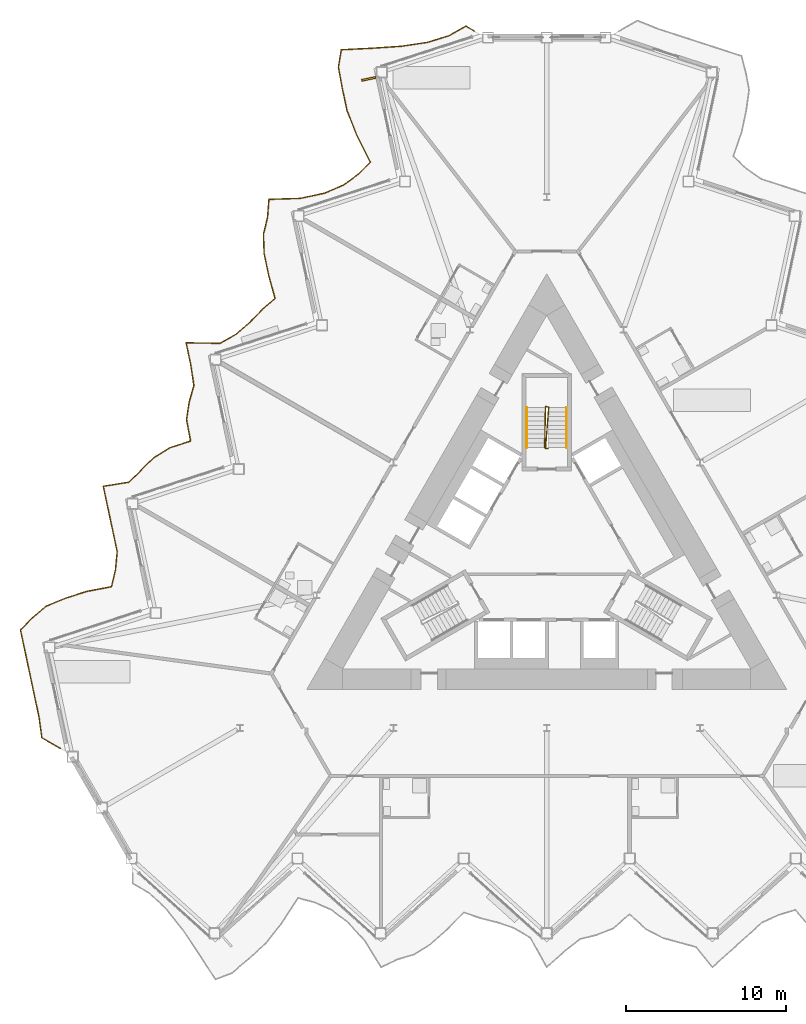
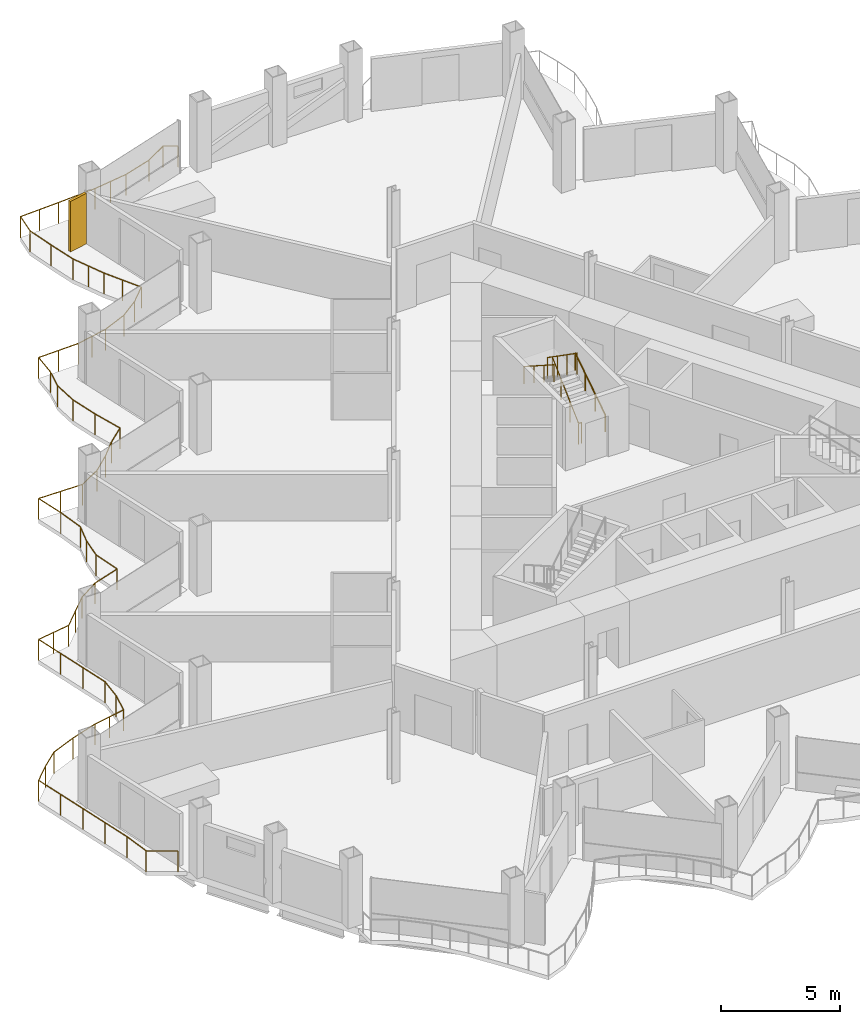
# One storey, part 20 of 23: 4 railings, 1 shading device.
"""IFC4 building model written with IfcOpenShell, lengths in metres."""

from ifc_helpers import new_model, si_unit, direction, frame, origin, origin_2d, place, context, subcontext, project, spatial, rectangle, circle, extrude, material, layer, layer_set, type_object, element, save


model = new_model("IFC4")

# Units and contexts
model_context = context("Model", 3, precision=1e-05, world=origin(), true_north=direction((0.0, 1.0)))
body_context = subcontext(model_context, "Body", "Model", "MODEL_VIEW")
ifc_project = project(units=[si_unit("LENGTHUNIT", "METRE"), si_unit("AREAUNIT", "SQUARE_METRE"), si_unit("VOLUMEUNIT", "CUBIC_METRE"), si_unit("PLANEANGLEUNIT", "RADIAN"), si_unit("MASSUNIT", "GRAM", prefix="KILO")], contexts=[model_context])

# Site, building, storey
site_placement = place(None, origin())
site = spatial("IfcSite", under=ifc_project, at=site_placement, CompositionType="ELEMENT")
building_placement = place(site_placement, origin())
building = spatial("IfcBuilding", under=site, at=building_placement, Name="Cormorant Prow Tower", CompositionType="ELEMENT")
storey_placement = place(building_placement, frame((0.0, 0.0, 245.39990234375)))
storey = spatial("IfcBuildingStorey", under=building, at=storey_placement, Name="L54", CompositionType="ELEMENT", Elevation=245.39990234375)

# Railings
ifc_material_1 = material(Name="Aluminium 6063-T6", Category="aluminium")
railing_type_1 = type_object("IfcRailingType", Name="Balcony guard 1100", PredefinedType="GUARDRAIL", material=ifc_material_1)
railing_1_placement = place(storey_placement, frame((-4.5009765625, 32.480712890625, 0.0)))
element("IfcRailing", 1, at=railing_1_placement, inside=storey, type_object=railing_type_1, Name="Balcony guard WNW", PredefinedType="GUARDRAIL", context=body_context, shape_type="SweptSolid", body=[
    extrude(circle(Radius=0.02392578125, at=origin_2d()), frame((0.0, 0.0, 1.076171875), z_axis=(-0.866108878364, 0.499855389907, 0.0), x_axis=(-0.499855389907, -0.866108878364, 0.0)), (0.0, 0.0, 1.0), 0.635986328125),
    extrude(circle(Radius=0.02392578125, at=origin_2d()), frame((-0.55078125, 0.31787109375, 1.076171875), z_axis=(-0.86738841602, -0.497631727037, 0.0), x_axis=(0.497631727037, -0.86738841602, 0.0)), (0.0, 0.0, 1.0), 1.197021484375),
    extrude(circle(Radius=0.02392578125, at=origin_2d()), frame((-1.589111328125, -0.27783203125, 1.076171875), z_axis=(-0.954818537326, -0.297189435846, 0.0), x_axis=(0.297189435846, -0.954818537326, 0.0)), (0.0, 0.0, 1.0), 1.408935546875),
    extrude(circle(Radius=0.02392578125, at=origin_2d()), frame((-2.934326171875, -0.696533203125, 1.076171875), z_axis=(-0.989117445671, -0.147128102923, 0.0), x_axis=(0.147128102923, -0.989117445671, 0.0)), (0.0, 0.0, 1.0), 1.664306640625),
    extrude(circle(Radius=0.02392578125, at=origin_2d()), frame((-4.58056640625, -0.94140625, 1.076171875), z_axis=(-0.99773369058, -0.067286571335, 0.0), x_axis=(0.067286571335, -0.99773369058, 0.0)), (0.0, 0.0, 1.0), 1.857666015625),
    extrude(circle(Radius=0.02392578125, at=origin_2d()), frame((-6.43408203125, -1.06640625, 1.076171875), z_axis=(-0.998767603563, -0.049631381939, 0.0), x_axis=(0.049631381939, -0.998767603563, 0.0)), (0.0, 0.0, 1.0), 1.90869140625),
    extrude(circle(Radius=0.02392578125, at=origin_2d()), frame((-8.34033203125, -1.1611328125, 1.076171875), z_axis=(-0.157964723351, -0.987444756012, 0.0), x_axis=(0.987444756012, -0.157964723351, 0.0)), (0.0, 0.0, 1.0), 1.108154296875),
    extrude(circle(Radius=0.02392578125, at=origin_2d()), frame((-8.515380859375, -2.25537109375, 1.076171875), z_axis=(0.180513225009, -0.983572557363, 0.0), x_axis=(0.983572557363, 0.180513225009, 0.0)), (0.0, 0.0, 1.0), 1.359130859375),
    extrude(circle(Radius=0.02392578125, at=origin_2d()), frame((-8.27001953125, -3.59228515625, 1.076171875), z_axis=(0.207865044312, -0.978157514592, 0.0), x_axis=(0.978157514592, 0.207865044312, 0.0)), (0.0, 0.0, 1.0), 1.39306640625),
    extrude(circle(Radius=0.02392578125, at=origin_2d()), frame((-7.98046875, -4.954833984375, 1.076171875), z_axis=(0.366882507914, -0.930267287067, 0.0), x_axis=(0.930267287067, 0.366882507914, 0.0)), (0.0, 0.0, 1.0), 1.66357421875),
    extrude(circle(Radius=0.02392578125, at=origin_2d()), frame((-7.3701171875, -6.50244140625, 1.076171875), z_axis=(0.449490009942, -0.893285358081, 0.0), x_axis=(0.893285358081, 0.449490009942, 0.0)), (0.0, 0.0, 1.0), 1.886474609375),
    extrude(circle(Radius=0.02392578125, at=origin_2d()), frame((-6.522216796875, -8.1875, 1.076171875), z_axis=(-0.706878866045, -0.70733462289, 0.0), x_axis=(0.70733462289, -0.706878866045, 0.0)), (0.0, 0.0, 1.0), 1.0712890625),
    extrude(circle(Radius=0.02392578125, at=origin_2d()), frame((-7.279541015625, -8.9453125, 1.076171875), z_axis=(-0.807671584794, -0.589632606897, 0.0), x_axis=(0.589632606897, -0.807671584794, 0.0)), (0.0, 0.0, 1.0), 1.132080078125),
    extrude(circle(Radius=0.02392578125, at=origin_2d()), frame((-8.19384765625, -9.61279296875, 1.076171875), z_axis=(-0.919865271319, -0.392234474035, 0.0), x_axis=(0.392234474035, -0.919865271319, 0.0)), (0.0, 0.0, 1.0), 1.294677734375),
    extrude(circle(Radius=0.02392578125, at=origin_2d()), frame((-9.384765625, -10.12060546875, 1.076171875), z_axis=(-0.977448644327, -0.21117326465, 0.0), x_axis=(0.21117326465, -0.977448644327, 0.0)), (0.0, 0.0, 1.0), 1.541015625),
    extrude(circle(Radius=0.02392578125, at=origin_2d()), frame((-10.89111328125, -10.446044921875, 1.076171875), z_axis=(-0.999521721228, -0.030924566176, 0.0), x_axis=(0.030924566176, -0.999521721228, 0.0)), (0.0, 0.0, 1.0), 1.9658203125),
    extrude(circle(Radius=0.02392578125, at=origin_2d()), frame((-12.85595703125, -10.5068359375, 1.076171875), z_axis=(-0.080100838595, -0.99678676539, 0.0), x_axis=(0.99678676539, -0.080100838595, 0.0)), (0.0, 0.0, 1.0), 1.14599609375),
    extrude(circle(Radius=0.02392578125, at=origin_2d()), frame((-12.94775390625, -11.649169921875, 1.076171875), z_axis=(-0.233586756065, -0.972335964259, 0.0), x_axis=(0.972335964259, -0.233586756065, 0.0)), (0.0, 0.0, 1.0), 1.07958984375),
    extrude(circle(Radius=0.02392578125, at=origin_2d()), frame((-13.199951171875, -12.698974609375, 1.076171875), z_axis=(0.035784228356, -0.999359539406, 0.0), x_axis=(0.999359539406, 0.035784228356, 0.0)), (0.0, 0.0, 1.0), 1.22119140625),
    extrude(circle(Radius=0.02392578125, at=origin_2d()), frame((-13.15625, -13.91943359375, 1.076171875), z_axis=(0.207900686127, -0.978149939788, 0.0), x_axis=(0.978149939788, 0.207900686127, 0.0)), (0.0, 0.0, 1.0), 1.392822265625),
    extrude(circle(Radius=0.02392578125, at=origin_2d()), frame((-12.86669921875, -15.28173828125, 1.076171875), z_axis=(0.265833522599, -0.964018951195, 0.0), x_axis=(0.964018951195, 0.265833522599, 0.0)), (0.0, 0.0, 1.0), 1.474853515625),
    extrude(circle(Radius=0.02392578125, at=origin_2d()), frame((-12.474609375, -16.70361328125, 1.076171875), z_axis=(-0.758202804025, -0.652018794184, 0.0), x_axis=(0.652018794184, -0.758202804025, 0.0)), (0.0, 0.0, 1.0), 1.0966796875),
    extrude(circle(Radius=0.02392578125, at=origin_2d()), frame((-13.30615234375, -17.418701171875, 1.076171875), z_axis=(-0.693936407602, -0.720036292283, 0.0), x_axis=(0.720036292283, -0.693936407602, 0.0)), (0.0, 0.0, 1.0), 1.06640625),
    extrude(circle(Radius=0.02392578125, at=origin_2d()), frame((-14.046142578125, -18.1865234375, 1.076171875), z_axis=(-0.750079137531, -0.661348083419, 0.0), x_axis=(0.661348083419, -0.750079137531, 0.0)), (0.0, 0.0, 1.0), 1.09228515625),
    extrude(circle(Radius=0.02392578125, at=origin_2d()), frame((-14.865478515625, -18.908935546875, 1.076171875), z_axis=(-0.870373533206, -0.49239203151, 0.0), x_axis=(0.49239203151, -0.870373533206, 0.0)), (0.0, 0.0, 1.0), 1.201416015625),
    extrude(circle(Radius=0.02392578125, at=origin_2d()), frame((-15.9111328125, -19.50048828125, 1.076171875), z_axis=(-0.99990616537, 0.013698921676, 0.0), x_axis=(-0.013698921676, -0.99990616537, 0.0)), (0.0, 0.0, 1.0), 2.120849609375),
    extrude(circle(Radius=0.02392578125, at=origin_2d()), frame((-18.03173828125, -19.471435546875, 1.076171875), z_axis=(0.208032727926, -0.978121865675, 0.0), x_axis=(0.978121865675, 0.208032727926, 0.0)), (0.0, 0.0, 1.0), 1.39306640625),
    extrude(circle(Radius=0.02392578125, at=origin_2d()), frame((-17.741943359375, -20.833984375, 1.076171875), z_axis=(0.147672462965, -0.989036320709, 0.0), x_axis=(0.989036320709, 0.147672462965, 0.0)), (0.0, 0.0, 1.0), 1.322509765625),
    extrude(circle(Radius=0.02392578125, at=origin_2d()), frame((-17.546630859375, -22.14208984375, 1.076171875), z_axis=(-0.272546130681, -0.962142716363, 0.0), x_axis=(0.962142716363, -0.272546130681, 0.0)), (0.0, 0.0, 1.0), 1.06787109375),
    extrude(circle(Radius=0.02392578125, at=origin_2d()), frame((-17.837646484375, -23.16943359375, 1.076171875), z_axis=(-0.152833795093, -0.98825190669, 0.0), x_axis=(0.98825190669, -0.152833795093, 0.0)), (0.0, 0.0, 1.0), 1.110107421875),
    extrude(circle(Radius=0.02392578125, at=origin_2d()), frame((-18.00732421875, -24.2666015625, 1.076171875), z_axis=(0.186381235176, -0.982477498559, 0.0), x_axis=(0.982477498559, 0.186381235176, 0.0)), (0.0, 0.0, 1.0), 1.3662109375),
    extrude(circle(Radius=0.02392578125, at=origin_2d()), frame((-17.752685546875, -25.60888671875, 1.076171875), z_axis=(-0.951073984581, -0.308963227348, 0.0), x_axis=(0.308963227348, -0.951073984581, 0.0)), (0.0, 0.0, 1.0), 1.39306640625),
    extrude(circle(Radius=0.02392578125, at=origin_2d()), frame((-19.07763671875, -26.039306640625, 1.076171875), z_axis=(-0.846365198588, -0.532602995316, 0.0), x_axis=(0.532602995316, -0.846365198588, 0.0)), (0.0, 0.0, 1.0), 1.170166015625),
    extrude(circle(Radius=0.02392578125, at=origin_2d()), frame((-20.068115234375, -26.66259765625, 1.076171875), z_axis=(-0.711527130942, -0.702658624037, 0.0), x_axis=(0.702658624037, -0.711527130942, 0.0)), (0.0, 0.0, 1.0), 1.07373046875),
    extrude(circle(Radius=0.02392578125, at=origin_2d()), frame((-20.83203125, -27.4169921875, 1.076171875), z_axis=(-0.708471848371, -0.705739073642, 0.0), x_axis=(0.705739073642, -0.708471848371, 0.0)), (0.0, 0.0, 1.0), 1.072021484375),
    extrude(circle(Radius=0.02392578125, at=origin_2d()), frame((-21.591552734375, -28.173583984375, 1.076171875), z_axis=(-0.987062768238, -0.160334311855, 0.0), x_axis=(0.160334311855, -0.987062768238, 0.0)), (0.0, 0.0, 1.0), 1.636962890625),
    extrude(circle(Radius=0.02392578125, at=origin_2d()), frame((-23.207275390625, -28.43603515625, 1.076171875), z_axis=(0.207865044312, -0.978157514592, 0.0), x_axis=(0.978157514592, 0.207865044312, 0.0)), (0.0, 0.0, 1.0), 1.39306640625),
    extrude(circle(Radius=0.02392578125, at=origin_2d()), frame((-22.917724609375, -29.798583984375, 1.076171875), z_axis=(0.207865044312, -0.978157514592, 0.0), x_axis=(0.978157514592, 0.207865044312, 0.0)), (0.0, 0.0, 1.0), 1.39306640625),
    extrude(circle(Radius=0.02392578125, at=origin_2d()), frame((-22.628173828125, -31.1611328125, 1.076171875), z_axis=(0.207900686127, -0.978149939788, 0.0), x_axis=(0.978149939788, 0.207900686127, 0.0)), (0.0, 0.0, 1.0), 1.392822265625),
    extrude(circle(Radius=0.02392578125, at=origin_2d()), frame((-22.338623046875, -32.5234375, 1.076171875), z_axis=(-0.094363770965, -0.995537783677, 0.0), x_axis=(0.995537783677, -0.094363770965, 0.0)), (0.0, 0.0, 1.0), 1.138427734375),
    extrude(circle(Radius=0.02392578125, at=origin_2d()), frame((-22.446044921875, -33.65673828125, 1.076171875), z_axis=(-0.230235545509, -0.973134930821, 0.0), x_axis=(0.973134930821, -0.230235545509, 0.0)), (0.0, 0.0, 1.0), 1.08056640625),
    extrude(circle(Radius=0.02392578125, at=origin_2d()), frame((-22.69482421875, -34.708251953125, 1.076171875), z_axis=(-0.982474376415, -0.186397692282, 0.0), x_axis=(0.186397692282, -0.982474376415, 0.0)), (0.0, 0.0, 1.0), 1.586181640625),
    extrude(circle(Radius=0.02392578125, at=origin_2d()), frame((-24.253173828125, -35.00390625, 1.076171875), z_axis=(-0.951057251471, -0.309014731726, 0.0), x_axis=(0.309014731726, -0.951057251471, 0.0)), (0.0, 0.0, 1.0), 1.392822265625),
    extrude(circle(Radius=0.02392578125, at=origin_2d()), frame((-25.577880859375, -35.434326171875, 1.076171875), z_axis=(-0.925502392525, -0.378741760874, 0.0), x_axis=(0.378741760874, -0.925502392525, 0.0)), (0.0, 0.0, 1.0), 1.30908203125),
    extrude(circle(Radius=0.02392578125, at=origin_2d()), frame((-26.78955078125, -35.93017578125, 1.076171875), z_axis=(-0.755387384612, -0.65527848978, 0.0), x_axis=(0.65527848978, -0.755387384612, 0.0)), (0.0, 0.0, 1.0), 1.094970703125),
    extrude(circle(Radius=0.02392578125, at=origin_2d()), frame((-27.61669921875, -36.647705078125, 1.076171875), z_axis=(-0.713328459137, -0.700829871927, 0.0), x_axis=(0.700829871927, -0.713328459137, 0.0)), (0.0, 0.0, 1.0), 1.07421875),
    extrude(circle(Radius=0.02392578125, at=origin_2d()), frame((-28.383056640625, -37.400634765625, 1.076171875), z_axis=(0.207865044312, -0.978157514592, 0.0), x_axis=(0.978157514592, 0.207865044312, 0.0)), (0.0, 0.0, 1.0), 1.39306640625),
    extrude(circle(Radius=0.02392578125, at=origin_2d()), frame((-28.093505859375, -38.76318359375, 1.076171875), z_axis=(0.208032727926, -0.978121865675, 0.0), x_axis=(0.978121865675, 0.208032727926, 0.0)), (0.0, 0.0, 1.0), 1.39306640625),
    extrude(circle(Radius=0.02392578125, at=origin_2d()), frame((-27.8037109375, -40.125732421875, 1.076171875), z_axis=(0.207900686127, -0.978149939788, 0.0), x_axis=(0.978149939788, 0.207900686127, 0.0)), (0.0, 0.0, 1.0), 1.392822265625),
    extrude(circle(Radius=0.02392578125, at=origin_2d()), frame((-27.51416015625, -41.488037109375, 1.076171875), z_axis=(0.207865044312, -0.978157514592, 0.0), x_axis=(0.978157514592, 0.207865044312, 0.0)), (0.0, 0.0, 1.0), 1.39306640625),
    extrude(circle(Radius=0.02392578125, at=origin_2d()), frame((-27.224609375, -42.8505859375, 1.076171875), z_axis=(0.137015359398, -0.990568923038, 0.0), x_axis=(0.990568923038, 0.137015359398, 0.0)), (0.0, 0.0, 1.0), 1.3115234375),
    extrude(circle(Radius=0.02392578125, at=origin_2d()), frame((-27.044921875, -44.149658203125, 1.076171875), z_axis=(0.86607089125, -0.499921205121, 0.0), x_axis=(0.499921205121, 0.86607089125, 0.0)), (0.0, 0.0, 1.0), 1.346923828125),
    extrude(circle(Radius=0.02099609375, at=origin_2d()), origin(), (0.0, 0.0, 1.0), 1.052001953125),
    extrude(circle(Radius=0.02099609375, at=origin_2d()), frame((-0.55078125, 0.31787109375, 0.0)), (0.0, 0.0, 1.0), 1.052001953125),
    extrude(circle(Radius=0.02099609375, at=origin_2d()), frame((-1.589111328125, -0.27783203125, 0.0)), (0.0, 0.0, 1.0), 1.052001953125),
    extrude(circle(Radius=0.02099609375, at=origin_2d()), frame((-2.934326171875, -0.696533203125, 0.0)), (0.0, 0.0, 1.0), 1.052001953125),
    extrude(circle(Radius=0.02099609375, at=origin_2d()), frame((-3.75732421875, -0.81884765625, 0.0)), (0.0, 0.0, 1.0), 1.052001953125),
    extrude(circle(Radius=0.02099609375, at=origin_2d()), frame((-4.58056640625, -0.94140625, 0.0)), (0.0, 0.0, 1.0), 1.052001953125),
    extrude(circle(Radius=0.02099609375, at=origin_2d()), frame((-5.50732421875, -1.00390625, 0.0)), (0.0, 0.0, 1.0), 1.052001953125),
    extrude(circle(Radius=0.02099609375, at=origin_2d()), frame((-6.43408203125, -1.06640625, 0.0)), (0.0, 0.0, 1.0), 1.052001953125),
    extrude(circle(Radius=0.02099609375, at=origin_2d()), frame((-7.38720703125, -1.11376953125, 0.0)), (0.0, 0.0, 1.0), 1.052001953125),
    extrude(circle(Radius=0.02099609375, at=origin_2d()), frame((-8.34033203125, -1.1611328125, 0.0)), (0.0, 0.0, 1.0), 1.052001953125),
    extrude(circle(Radius=0.02099609375, at=origin_2d()), frame((-8.515380859375, -2.25537109375, 0.0)), (0.0, 0.0, 1.0), 1.052001953125),
    extrude(circle(Radius=0.02099609375, at=origin_2d()), frame((-8.27001953125, -3.59228515625, 0.0)), (0.0, 0.0, 1.0), 1.052001953125),
    extrude(circle(Radius=0.02099609375, at=origin_2d()), frame((-7.98046875, -4.954833984375, 0.0)), (0.0, 0.0, 1.0), 1.052001953125),
    extrude(circle(Radius=0.02099609375, at=origin_2d()), frame((-7.67529296875, -5.728515625, 0.0)), (0.0, 0.0, 1.0), 1.052001953125),
    extrude(circle(Radius=0.02099609375, at=origin_2d()), frame((-7.3701171875, -6.50244140625, 0.0)), (0.0, 0.0, 1.0), 1.052001953125),
    extrude(circle(Radius=0.02099609375, at=origin_2d()), frame((-6.9462890625, -7.344970703125, 0.0)), (0.0, 0.0, 1.0), 1.052001953125),
    extrude(circle(Radius=0.02099609375, at=origin_2d()), frame((-6.522216796875, -8.1875, 0.0)), (0.0, 0.0, 1.0), 1.052001953125),
    extrude(circle(Radius=0.02099609375, at=origin_2d()), frame((-7.279541015625, -8.9453125, 0.0)), (0.0, 0.0, 1.0), 1.052001953125),
    extrude(circle(Radius=0.02099609375, at=origin_2d()), frame((-8.19384765625, -9.61279296875, 0.0)), (0.0, 0.0, 1.0), 1.052001953125),
    extrude(circle(Radius=0.02099609375, at=origin_2d()), frame((-9.384765625, -10.12060546875, 0.0)), (0.0, 0.0, 1.0), 1.052001953125),
    extrude(circle(Radius=0.02099609375, at=origin_2d()), frame((-10.137939453125, -10.283203125, 0.0)), (0.0, 0.0, 1.0), 1.052001953125),
    extrude(circle(Radius=0.02099609375, at=origin_2d()), frame((-10.89111328125, -10.446044921875, 0.0)), (0.0, 0.0, 1.0), 1.052001953125),
    extrude(circle(Radius=0.02099609375, at=origin_2d()), frame((-11.87353515625, -10.4765625, 0.0)), (0.0, 0.0, 1.0), 1.052001953125),
    extrude(circle(Radius=0.02099609375, at=origin_2d()), frame((-12.85595703125, -10.5068359375, 0.0)), (0.0, 0.0, 1.0), 1.052001953125),
    extrude(circle(Radius=0.02099609375, at=origin_2d()), frame((-12.94775390625, -11.649169921875, 0.0)), (0.0, 0.0, 1.0), 1.052001953125),
    extrude(circle(Radius=0.02099609375, at=origin_2d()), frame((-13.199951171875, -12.698974609375, 0.0)), (0.0, 0.0, 1.0), 1.052001953125),
    extrude(circle(Radius=0.02099609375, at=origin_2d()), frame((-13.15625, -13.91943359375, 0.0)), (0.0, 0.0, 1.0), 1.052001953125),
    extrude(circle(Radius=0.02099609375, at=origin_2d()), frame((-12.86669921875, -15.28173828125, 0.0)), (0.0, 0.0, 1.0), 1.052001953125),
    extrude(circle(Radius=0.02099609375, at=origin_2d()), frame((-12.474609375, -16.70361328125, 0.0)), (0.0, 0.0, 1.0), 1.052001953125),
    extrude(circle(Radius=0.02099609375, at=origin_2d()), frame((-13.30615234375, -17.418701171875, 0.0)), (0.0, 0.0, 1.0), 1.052001953125),
    extrude(circle(Radius=0.02099609375, at=origin_2d()), frame((-14.046142578125, -18.1865234375, 0.0)), (0.0, 0.0, 1.0), 1.052001953125),
    extrude(circle(Radius=0.02099609375, at=origin_2d()), frame((-14.865478515625, -18.908935546875, 0.0)), (0.0, 0.0, 1.0), 1.052001953125),
    extrude(circle(Radius=0.02099609375, at=origin_2d()), frame((-15.9111328125, -19.50048828125, 0.0)), (0.0, 0.0, 1.0), 1.052001953125),
    extrude(circle(Radius=0.02099609375, at=origin_2d()), frame((-16.971435546875, -19.48583984375, 0.0)), (0.0, 0.0, 1.0), 1.052001953125),
    extrude(circle(Radius=0.02099609375, at=origin_2d()), frame((-18.03173828125, -19.471435546875, 0.0)), (0.0, 0.0, 1.0), 1.052001953125),
    extrude(circle(Radius=0.02099609375, at=origin_2d()), frame((-17.741943359375, -20.833984375, 0.0)), (0.0, 0.0, 1.0), 1.052001953125),
    extrude(circle(Radius=0.02099609375, at=origin_2d()), frame((-17.546630859375, -22.14208984375, 0.0)), (0.0, 0.0, 1.0), 1.052001953125),
    extrude(circle(Radius=0.02099609375, at=origin_2d()), frame((-17.837646484375, -23.16943359375, 0.0)), (0.0, 0.0, 1.0), 1.052001953125),
    extrude(circle(Radius=0.02099609375, at=origin_2d()), frame((-18.00732421875, -24.2666015625, 0.0)), (0.0, 0.0, 1.0), 1.052001953125),
    extrude(circle(Radius=0.02099609375, at=origin_2d()), frame((-17.752685546875, -25.60888671875, 0.0)), (0.0, 0.0, 1.0), 1.052001953125),
    extrude(circle(Radius=0.02099609375, at=origin_2d()), frame((-19.07763671875, -26.039306640625, 0.0)), (0.0, 0.0, 1.0), 1.052001953125),
    extrude(circle(Radius=0.02099609375, at=origin_2d()), frame((-20.068115234375, -26.66259765625, 0.0)), (0.0, 0.0, 1.0), 1.052001953125),
    extrude(circle(Radius=0.02099609375, at=origin_2d()), frame((-20.83203125, -27.4169921875, 0.0)), (0.0, 0.0, 1.0), 1.052001953125),
    extrude(circle(Radius=0.02099609375, at=origin_2d()), frame((-21.591552734375, -28.173583984375, 0.0)), (0.0, 0.0, 1.0), 1.052001953125),
    extrude(circle(Radius=0.02099609375, at=origin_2d()), frame((-22.3994140625, -28.3046875, 0.0)), (0.0, 0.0, 1.0), 1.052001953125),
    extrude(circle(Radius=0.02099609375, at=origin_2d()), frame((-23.207275390625, -28.43603515625, 0.0)), (0.0, 0.0, 1.0), 1.052001953125),
    extrude(circle(Radius=0.02099609375, at=origin_2d()), frame((-22.917724609375, -29.798583984375, 0.0)), (0.0, 0.0, 1.0), 1.052001953125),
    extrude(circle(Radius=0.02099609375, at=origin_2d()), frame((-22.628173828125, -31.1611328125, 0.0)), (0.0, 0.0, 1.0), 1.052001953125),
    extrude(circle(Radius=0.02099609375, at=origin_2d()), frame((-22.338623046875, -32.5234375, 0.0)), (0.0, 0.0, 1.0), 1.052001953125),
    extrude(circle(Radius=0.02099609375, at=origin_2d()), frame((-22.446044921875, -33.65673828125, 0.0)), (0.0, 0.0, 1.0), 1.052001953125),
    extrude(circle(Radius=0.02099609375, at=origin_2d()), frame((-22.69482421875, -34.708251953125, 0.0)), (0.0, 0.0, 1.0), 1.052001953125),
    extrude(circle(Radius=0.02099609375, at=origin_2d()), frame((-23.47412109375, -34.85595703125, 0.0)), (0.0, 0.0, 1.0), 1.052001953125),
    extrude(circle(Radius=0.02099609375, at=origin_2d()), frame((-24.253173828125, -35.00390625, 0.0)), (0.0, 0.0, 1.0), 1.052001953125),
    extrude(circle(Radius=0.02099609375, at=origin_2d()), frame((-25.577880859375, -35.434326171875, 0.0)), (0.0, 0.0, 1.0), 1.052001953125),
    extrude(circle(Radius=0.02099609375, at=origin_2d()), frame((-26.78955078125, -35.93017578125, 0.0)), (0.0, 0.0, 1.0), 1.052001953125),
    extrude(circle(Radius=0.02099609375, at=origin_2d()), frame((-27.61669921875, -36.647705078125, 0.0)), (0.0, 0.0, 1.0), 1.052001953125),
    extrude(circle(Radius=0.02099609375, at=origin_2d()), frame((-28.383056640625, -37.400634765625, 0.0)), (0.0, 0.0, 1.0), 1.052001953125),
    extrude(circle(Radius=0.02099609375, at=origin_2d()), frame((-28.093505859375, -38.76318359375, 0.0)), (0.0, 0.0, 1.0), 1.052001953125),
    extrude(circle(Radius=0.02099609375, at=origin_2d()), frame((-27.8037109375, -40.125732421875, 0.0)), (0.0, 0.0, 1.0), 1.052001953125),
    extrude(circle(Radius=0.02099609375, at=origin_2d()), frame((-27.51416015625, -41.488037109375, 0.0)), (0.0, 0.0, 1.0), 1.052001953125),
    extrude(circle(Radius=0.02099609375, at=origin_2d()), frame((-27.224609375, -42.8505859375, 0.0)), (0.0, 0.0, 1.0), 1.052001953125),
    extrude(circle(Radius=0.02099609375, at=origin_2d()), frame((-27.044921875, -44.149658203125, 0.0)), (0.0, 0.0, 1.0), 1.052001953125),
    extrude(circle(Radius=0.02099609375, at=origin_2d()), frame((-25.87841796875, -44.822998046875, 0.0)), (0.0, 0.0, 1.0), 1.052001953125),
])
ifc_material_2 = material(Name="Stainless steel", Category="steel")
railing_type_2 = type_object("IfcRailingType", Name="Stair guard 1100", PredefinedType="GUARDRAIL", material=ifc_material_2)
railing_2_placement = place(storey_placement, frame((0.074951171875, 6.40576171875, 0.0)))
element("IfcRailing", 2, at=railing_2_placement, inside=storey, type_object=railing_type_2, Name="L54 ST3 stair guard 1", PredefinedType="GUARDRAIL", context=body_context, shape_type="SweptSolid", body=[
    extrude(circle(Radius=0.02392578125, at=origin_2d()), frame((0.0, 0.0, 1.076171875), z_axis=(-1.0, 0.0, 0.0), x_axis=(0.0, -1.0, 0.0)), (0.0, 0.0, 1.0), 0.14990234375),
    extrude(circle(Radius=0.02392578125, at=origin_2d()), frame((-0.14990234375, 0.0, 1.076171875), z_axis=(0.063595540489, 0.817423998443, 0.572515164864), x_axis=(-0.996987254287, 0.077565551559, 0.0)), (0.0, 0.0, 1.0), 3.14404296875),
    extrude(circle(Radius=0.02392578125, at=origin_2d()), frame((0.050048828125, 2.570068359375, 2.8759765625), z_axis=(-0.970072785993, 0.242814311512, 0.0), x_axis=(-0.242814311512, -0.970072785993, 0.0)), (0.0, 0.0, 1.0), 0.2060546875),
    extrude(circle(Radius=0.02392578125, at=origin_2d()), frame((-0.14990234375, 2.6201171875, 2.8759765625), z_axis=(-0.01594855688, -0.818977845239, 0.573603462805), x_axis=(0.999810440751, -0.019470042781, 0.0)), (0.0, 0.0, 1.0), 3.13818359375),
    extrude(circle(Radius=0.02099609375, at=origin_2d()), origin(), (0.0, 0.0, 1.0), 1.052001953125),
    extrude(circle(Radius=0.02099609375, at=origin_2d()), frame((-0.14990234375, 0.0, 0.0)), (0.0, 0.0, 1.0), 1.052001953125),
    extrude(circle(Radius=0.02099609375, at=origin_2d()), frame((-0.083251953125, 0.856689453125, 0.60009765625)), (0.0, 0.0, 1.0), 1.052001953125),
    extrude(circle(Radius=0.02099609375, at=origin_2d()), frame((-0.0166015625, 1.71337890625, 1.199951171875)), (0.0, 0.0, 1.0), 1.052001953125),
    extrude(circle(Radius=0.02099609375, at=origin_2d()), frame((0.050048828125, 2.570068359375, 1.800048828125)), (0.0, 0.0, 1.0), 1.052001953125),
    extrude(circle(Radius=0.02099609375, at=origin_2d()), frame((-0.14990234375, 2.6201171875, 1.800048828125)), (0.0, 0.0, 1.0), 1.052001953125),
    extrude(circle(Radius=0.02099609375, at=origin_2d()), frame((-0.16650390625, 1.763427734375, 2.400146484375)), (0.0, 0.0, 1.0), 1.052001953125),
    extrude(circle(Radius=0.02099609375, at=origin_2d()), frame((-0.183349609375, 0.90673828125, 3.0)), (0.0, 0.0, 1.0), 1.052001953125),
    extrude(circle(Radius=0.02099609375, at=origin_2d()), frame((-0.199951171875, 0.050048828125, 3.60009765625)), (0.0, 0.0, 1.0), 1.052001953125),
])
ifc_material_3 = material(Name="Stainless steel", Category="steel")
railing_type_3 = type_object("IfcRailingType", Name="Stair handrail 900", PredefinedType="HANDRAIL", material=ifc_material_3)
railing_3_placement = place(storey_placement, frame((1.243896484375, 6.455810546875, 0.18017578125)))
element("IfcRailing", 3, at=railing_3_placement, inside=storey, type_object=railing_type_3, Name="L54 ST3 stair handrail 1", PredefinedType="HANDRAIL", context=body_context, shape_type="SweptSolid", body=[
    extrude(circle(Radius=0.02392578125, at=origin_2d()), frame((0.0, 0.0, 0.8759765625), z_axis=(0.0, 0.841199657755, 0.540724639528), x_axis=(-1.0, 0.0, 0.0)), (0.0, 0.0, 1.0), 2.995849609375),
    extrude(circle(Radius=0.02099609375, at=origin_2d()), origin(), (0.0, 0.0, 1.0), 0.851806640625),
    extrude(circle(Radius=0.02099609375, at=origin_2d()), frame((0.0, 0.840087890625, 0.5400390625)), (0.0, 0.0, 1.0), 0.851806640625),
    extrude(circle(Radius=0.02099609375, at=origin_2d()), frame((0.0, 1.679931640625, 1.079833984375)), (0.0, 0.0, 1.0), 0.851806640625),
    extrude(circle(Radius=0.02099609375, at=origin_2d()), frame((0.0, 2.52001953125, 1.619873046875)), (0.0, 0.0, 1.0), 0.851806640625),
])
railing_4_placement = place(storey_placement, frame((-1.243896484375, 8.975830078125, 1.97998046875)))
element("IfcRailing", 4, at=railing_4_placement, inside=storey, type_object=railing_type_3, Name="L54 ST3 stair handrail 2", PredefinedType="HANDRAIL", context=body_context, shape_type="SweptSolid", body=[
    extrude(circle(Radius=0.02392578125, at=origin_2d()), frame((0.0, 0.0, 0.8759765625), z_axis=(0.0, -0.841162588446, 0.540782303519), x_axis=(1.0, 0.0, 0.0)), (0.0, 0.0, 1.0), 2.995849609375),
    extrude(circle(Radius=0.02099609375, at=origin_2d()), origin(), (0.0, 0.0, 1.0), 0.851806640625),
    extrude(circle(Radius=0.02099609375, at=origin_2d()), frame((0.0, -0.840087890625, 0.5400390625)), (0.0, 0.0, 1.0), 0.851806640625),
    extrude(circle(Radius=0.02099609375, at=origin_2d()), frame((0.0, -1.679931640625, 1.080078125)), (0.0, 0.0, 1.0), 0.851806640625),
    extrude(circle(Radius=0.02099609375, at=origin_2d()), frame((0.0, -2.52001953125, 1.6201171875)), (0.0, 0.0, 1.0), 0.851806640625),
])

# Shading device
ifc_material_4 = material(Name="Terracotta", Category="masonry")
ifc_layer = layer(ifc_material_4, 0.1201171875)
ifc_layer_set = layer_set([ifc_layer], Name="Terracotta")
shading_device_type = type_object("IfcShadingDeviceType", Name="Terracotta baguette fin 120x900x2600", PredefinedType="USERDEFINED", material=ifc_layer_set)
shading_device_placement = place(storey_placement, frame((-11.119140625, 29.49609375, 0.0), z_axis=(0.0, 0.0, 1.0), x_axis=(0.207911667327, -0.978147605727, 0.0)))
element("IfcShadingDevice", 5, at=shading_device_placement, inside=storey, type_object=shading_device_type, Name="Baguette fin WNW01", ObjectType="BAGUETTE", PredefinedType="USERDEFINED", context=body_context, shape_type="SweptSolid", body=[
    extrude(rectangle(XDim=0.1201171875, YDim=0.89990234375, at=origin_2d()), origin(), (0.0, 0.0, 1.0), 2.60009765625),
])

save(model, "model.ifc")
